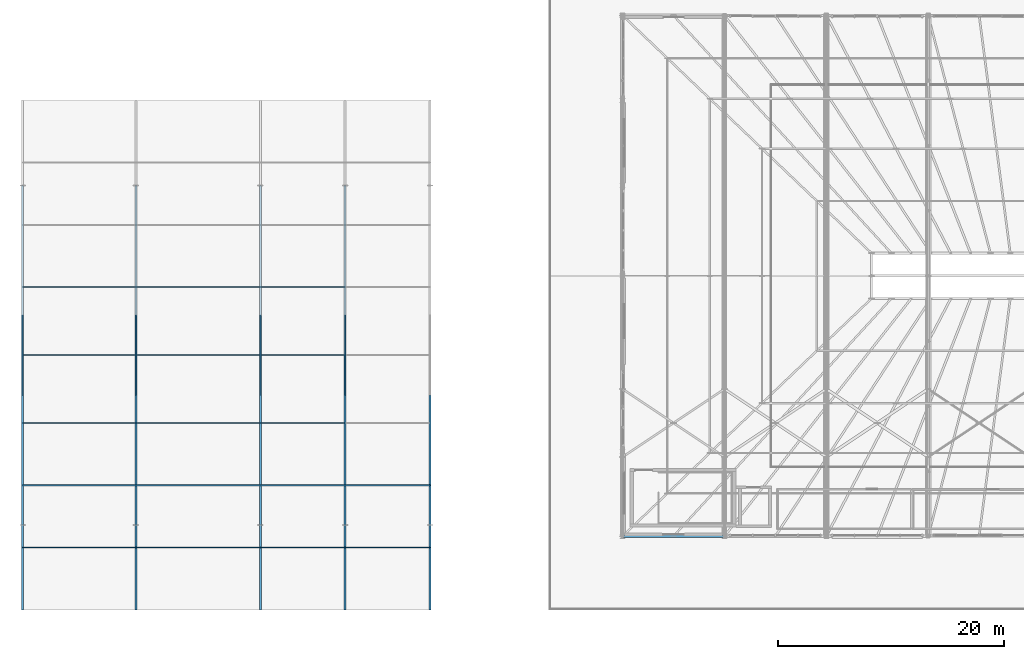
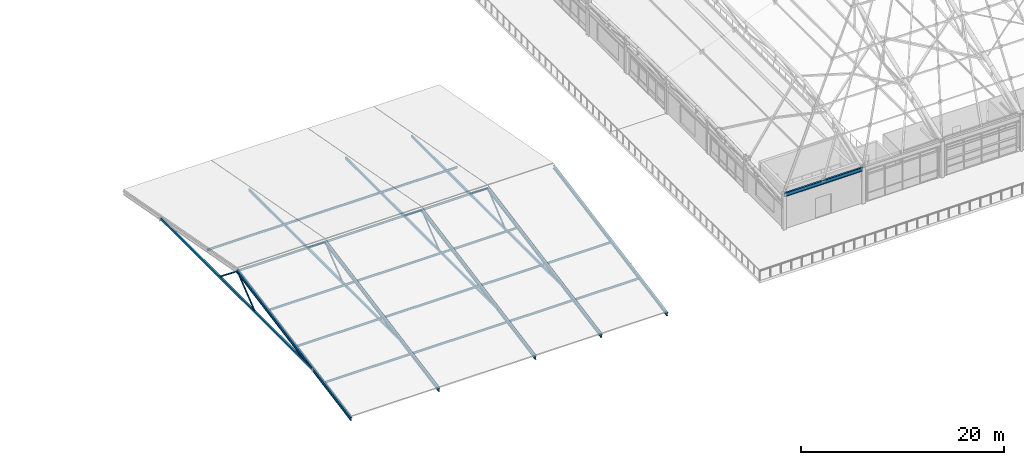
# One storey, part 9 of 168: 34 members, 1 beam.
"""IFC4 building model written with IfcOpenShell, lengths in metres."""

import ifcopenshell
import ifcopenshell.guid

model = None  # the IFC model being written
_history = None  # IfcOwnerHistory: only IFC2X3 demands one
_inside = {}  # id of a spatial element -> (the spatial element, [elements in it])
_under = {}  # id of a project, library or spatial element -> (it, [spatial elements below it])
_declared = {}  # id of a project -> (the project, [libraries it declares])
_typed = {}  # id of a type object -> (the type object, [elements of that type])
_made_of = {}  # id of a material, layer set ... -> (it, [elements and type objects made of it])


def new_model(schema):
    """Start an empty IFC model of exactly this schema.

    Asked for "IFC4X3", IfcOpenShell would pick the latest addendum, in which some entities
    have other attributes; the version numbers below select the first issue.
    IFC2X3 requires an IfcOwnerHistory on every rooted entity: one is made here for all.
    """
    global model, _history
    if schema == "IFC4X3":
        model = ifcopenshell.file(schema_version=(4, 3, 0, 0))
    else:
        model = ifcopenshell.file(schema=schema)
    _inside.clear()
    _under.clear()
    _declared.clear()
    _typed.clear()
    _made_of.clear()
    _history = None
    if model.schema == "IFC2X3":
        org = make("IfcOrganization", Name="unknown")
        user = make(
            "IfcPersonAndOrganization",
            ThePerson=make("IfcPerson", FamilyName="unknown"),
            TheOrganization=org,
        )
        app = make(
            "IfcApplication",
            ApplicationDeveloper=org,
            Version="unknown",
            ApplicationFullName="unknown",
            ApplicationIdentifier="unknown",
        )
        _history = make(
            "IfcOwnerHistory",
            OwningUser=user,
            OwningApplication=app,
            ChangeAction="ADDED",
            CreationDate=0,
        )
    return model


def make(cls, **values):
    """One entity of the class cls with the attributes given. An attribute that is None is left unset."""
    return model.create_entity(
        cls, **{name: value for name, value in values.items() if value is not None}
    )


def rooted(cls, **values):
    """An entity with a GlobalId (a new one), such as an element, a storey or a relation."""
    return make(cls, GlobalId=ifcopenshell.guid.new(), OwnerHistory=_history, **values)


def si_unit(unit_type, name, prefix=None):
    """IfcSIUnit, for example si_unit("LENGTHUNIT", "METRE", prefix="MILLI")."""
    return make("IfcSIUnit", UnitType=unit_type, Prefix=prefix, Name=name)


def assignment(units):
    """IfcUnitAssignment: the units of a project."""
    return None if units is None else make("IfcUnitAssignment", Units=units)


def point(xyz):
    """IfcCartesianPoint."""
    return None if xyz is None else make("IfcCartesianPoint", Coordinates=xyz)


def direction(xyz):
    """IfcDirection."""
    return None if xyz is None else make("IfcDirection", DirectionRatios=xyz)


def frame(location, z_axis=None, x_axis=None):
    """IfcAxis2Placement3D, a coordinate frame: its origin and axes. An axis left out is left unset."""
    return make(
        "IfcAxis2Placement3D",
        Location=point(location),
        Axis=direction(z_axis),
        RefDirection=direction(x_axis),
    )


def frame_2d(location, x_axis=None):
    """IfcAxis2Placement2D, a coordinate frame in the plane: its origin and x axis."""
    return make(
        "IfcAxis2Placement2D", Location=point(location), RefDirection=direction(x_axis)
    )


def origin():
    """The frame at (0, 0, 0) with its axes left unset."""
    return frame((0.0, 0.0, 0.0))


def origin_2d():
    """The frame at (0, 0) in the plane with its x axis left unset."""
    return frame_2d((0.0, 0.0))


def place(relative_to, where):
    """IfcLocalPlacement: puts the frame where relative to a parent placement (None: the world)."""
    return make(
        "IfcLocalPlacement", PlacementRelTo=relative_to, RelativePlacement=where
    )


def context(
    kind, dimensions, precision=None, world=None, true_north=None, identifier=None
):
    """IfcGeometricRepresentationContext, for example the 3D "Model" context."""
    return make(
        "IfcGeometricRepresentationContext",
        ContextIdentifier=identifier,
        ContextType=kind,
        CoordinateSpaceDimension=dimensions,
        Precision=precision,
        WorldCoordinateSystem=world,
        TrueNorth=true_north,
    )


def subcontext(parent, identifier, kind, view, scale=None):
    """IfcGeometricRepresentationSubContext, for example "Body" below "Model"."""
    return make(
        "IfcGeometricRepresentationSubContext",
        ContextIdentifier=identifier,
        ContextType=kind,
        ParentContext=parent,
        TargetScale=scale,
        TargetView=view,
    )


def project(units=None, contexts=None):
    """IfcProject with its units and contexts."""
    return rooted(
        "IfcProject",
        Name="project",
        RepresentationContexts=contexts,
        UnitsInContext=assignment(units),
    )


def spatial(cls, under=None, at=None, **own):
    """A site, building, storey or space (cls), placed at a placement, below another one or the project."""
    s = rooted(cls, ObjectPlacement=at, **own)
    if under is not None:
        _under.setdefault(under.id(), (under, []))[1].append(s)
    return s


def profile(cls, at=None, kind="AREA", **sizes):
    """A parametric profile (cls). Its sizes go by their IFC names, for example OverallWidth=200.0."""
    return make(cls, ProfileType=kind, Position=at, **sizes)


def hollow_rectangle(**sizes):
    """IfcRectangleHollowProfileDef."""
    return profile("IfcRectangleHollowProfileDef", **sizes)


def hollow_circle(**sizes):
    """IfcCircleHollowProfileDef."""
    return profile("IfcCircleHollowProfileDef", **sizes)


def i_section(**sizes):
    """IfcIShapeProfileDef."""
    return profile("IfcIShapeProfileDef", **sizes)


def extrude(swept, where, along, depth):
    """IfcExtrudedAreaSolid: the profile swept, set in the frame where, extruded along a direction by depth."""
    return make(
        "IfcExtrudedAreaSolid",
        SweptArea=swept,
        Position=where,
        ExtrudedDirection=direction(along),
        Depth=depth,
    )


def shape(context_of_items, identifier, shape_type, items):
    """IfcShapeRepresentation: the items that make up one representation, for example the "Body"."""
    return make(
        "IfcShapeRepresentation",
        ContextOfItems=context_of_items,
        RepresentationIdentifier=identifier,
        RepresentationType=shape_type,
        Items=items,
    )


def material(Name=None, Category=None):
    """IfcMaterial."""
    return make("IfcMaterial", Name=Name, Category=Category)


def material_profile(
    of_material, cross_section, Name=None, Category=None, Priority=None
):
    """IfcMaterialProfile: a cross section and its material."""
    return make(
        "IfcMaterialProfile",
        Name=Name,
        Material=of_material,
        Profile=cross_section,
        Priority=Priority,
        Category=Category,
    )


def profile_set(profiles, Name=None, composite=None):
    """IfcMaterialProfileSet."""
    return make(
        "IfcMaterialProfileSet",
        Name=Name,
        MaterialProfiles=profiles,
        CompositeProfile=composite,
    )


def made_of(thing, what):
    """Note that an element or type object is made of a material, layer set ...; save() writes the relation."""
    if what is not None:
        _made_of.setdefault(what.id(), (what, []))[1].append(thing)
    return thing


def type_object(cls, material=None, **own):
    """A type object (cls), such as IfcWallType, which elements share."""
    return made_of(rooted(cls, **own), material)


def element(
    cls,
    number,
    at=None,
    inside=None,
    cuts=None,
    type_object=None,
    material=None,
    context=None,
    identifier="Body",
    shape_type=None,
    held_by="IfcProductDefinitionShape",
    body=None,
    shapes=None,
    **own,
):
    """One element of the class cls, such as IfcWall. Its Tag is "e" and its number.

    at: its placement. inside: the storey or other place that contains it. cuts: it is an
    opening in that element (IfcRelVoidsElement). A single representation is given by context,
    identifier, shape_type and body (its items); several are given by shapes. held_by: the class
    of the entity that holds the representations. save() writes the other relations.
    """
    e = rooted(cls, Tag="e%d" % number, ObjectPlacement=at, **own)
    if body is not None:
        shapes = [shape(context, identifier, shape_type, body)]
    if shapes is not None:
        e.Representation = make(held_by, Representations=shapes)
    if inside is not None:
        _inside.setdefault(inside.id(), (inside, []))[1].append(e)
    if cuts is not None:
        rooted(
            "IfcRelVoidsElement", RelatingBuildingElement=cuts, RelatedOpeningElement=e
        )
    if type_object is not None:
        _typed.setdefault(type_object.id(), (type_object, []))[1].append(e)
    return made_of(e, material)


def aggregate(whole, parts):
    """IfcRelAggregates: a whole, such as a stair, and the parts it consists of."""
    return rooted("IfcRelAggregates", RelatingObject=whole, RelatedObjects=parts)


def save(model, path):
    """Write the relations noted so far, then the file.

    IfcRelAggregates (storeys below a building ...), IfcRelContainedInSpatialStructure (elements
    in a storey), IfcRelDefinesByType, IfcRelAssociatesMaterial and IfcRelDeclares: one each for
    every whole, place, type object, material and project.
    """
    for whole, parts in _under.values():
        aggregate(whole, parts)
    for where, things in _inside.values():
        rooted(
            "IfcRelContainedInSpatialStructure",
            RelatedElements=things,
            RelatingStructure=where,
        )
    for kind, things in _typed.values():
        rooted("IfcRelDefinesByType", RelatedObjects=things, RelatingType=kind)
    for what, things in _made_of.values():
        rooted("IfcRelAssociatesMaterial", RelatedObjects=things, RelatingMaterial=what)
    for by, libraries in _declared.values():
        rooted("IfcRelDeclares", RelatingContext=by, RelatedDefinitions=libraries)
    model.write(path)


model = new_model("IFC4")

# Units and contexts
model_context = context("Model", 3, precision=1e-05, world=origin(), true_north=direction((0.0, 1.0)))
body_context = subcontext(model_context, "Body", "Model", "MODEL_VIEW")
ifc_project = project(units=[si_unit("LENGTHUNIT", "METRE"), si_unit("AREAUNIT", "SQUARE_METRE"), si_unit("VOLUMEUNIT", "CUBIC_METRE"), si_unit("PLANEANGLEUNIT", "RADIAN"), si_unit("MASSUNIT", "GRAM", prefix="KILO"), si_unit("THERMODYNAMICTEMPERATUREUNIT", "KELVIN"), si_unit("POWERUNIT", "WATT")], contexts=[model_context])

# Site, building, storey
site_placement = place(None, origin())
site = spatial("IfcSite", under=ifc_project, at=site_placement, CompositionType="ELEMENT")
building_placement = place(site_placement, origin())
building = spatial("IfcBuilding", under=site, at=building_placement, Name="Tepalcoro Natatorium and Aquatics Centre", CompositionType="ELEMENT")
storey_placement = place(building_placement, frame((0.0, 0.0, 10.199951171875)))
storey = spatial("IfcBuildingStorey", under=building, at=storey_placement, Name="L02", CompositionType="ELEMENT", Elevation=10.199951171875)

# Members
ifc_material_1 = material(Name="Terracotta Painted Hollow Steel ASTM A500 Grade C (Fy 345 MPa)", Category="masonry")
ifc_material_profile_1 = material_profile(ifc_material_1, hollow_rectangle(XDim=0.179931640625, YDim=0.260009765625, WallThickness=0.013916015625, at=origin_2d()), Name="HSS260X180X14")
ifc_profile_set_1 = profile_set([ifc_material_profile_1], Name="Terracotta Painted Hollow Steel ASTM A500 Grade C (Fy 345 MPa)")
member_type_1 = type_object("IfcMemberType", Name="MB_AT_HSS260x180x14", PredefinedType="USERDEFINED", material=ifc_profile_set_1)
for number, where, z_axis, x_axis, name in (
    (1, (0.0, 14.0, 0.993408203125), (0.0, 1.0, 0.0), (-1.0, 0.0, 0.0), "V3 Pediment Roof Truss Collar Tie"),
    (2, (10.0, 14.0, 0.993408203125), (0.0, 1.0, 0.0), (-1.0, 0.0, 0.0), "V3 Pediment Roof Truss Collar Tie"),
    (3, (21.0, 14.0, 0.993408203125), (0.0, 1.0, 0.0), (-1.0, 0.0, 0.0), "V3 Pediment Roof Truss Collar Tie"),
    (4, (28.5, 14.0, 0.993408203125), (0.0, 1.0, 0.0), (-1.0, 0.0, 0.0), "V3 Pediment Roof Truss Collar Tie"),
):
    element("IfcMember", number, at=place(storey_placement, frame(where, z_axis=z_axis, x_axis=x_axis)), inside=storey, type_object=member_type_1, Name=name, ObjectType="ARCH TIE", PredefinedType="USERDEFINED", context=body_context, shape_type="SweptSolid", body=[
        extrude(hollow_rectangle(XDim=0.179931640625, YDim=0.260009765625, WallThickness=0.013916015625, at=origin_2d()), origin(), (0.0, 0.0, 1.0), 30.0),
    ])
ifc_material_2 = material(Name="Steel ASTM A992 Grade 50 (Fy 345 MPa)", Category="steel")
ifc_material_profile_2 = material_profile(ifc_material_2, i_section(OverallWidth=0.10205078125, OverallDepth=0.259033203125, WebThickness=0.006103515625, FlangeThickness=0.010009765625, FilletRadius=0.013916015625, at=origin_2d()), Name="W10X19")
ifc_profile_set_2 = profile_set([ifc_material_profile_2], Name="Steel ASTM A992 Grade 50 (Fy 345 MPa)")
member_type_2 = type_object("IfcMemberType", Name="MB_PR_W10x19", PredefinedType="PURLIN", material=ifc_profile_set_2)
member_1_placement = place(storey_placement, frame((0.0, 12.0, 0.65185546875), z_axis=(1.0, 0.0, 0.0), x_axis=(0.0, 1.0, 0.0)))
element("IfcMember", 5, at=member_1_placement, inside=storey, type_object=member_type_2, Name="V3 Pediment Roof Purlin", PredefinedType="PURLIN", context=body_context, shape_type="SweptSolid", body=[
    extrude(i_section(OverallWidth=0.10205078125, OverallDepth=0.259033203125, WebThickness=0.006103515625, FlangeThickness=0.010009765625, FilletRadius=0.013916015625, at=origin_2d()), origin(), (0.0, 0.0, 1.0), 10.0),
])
member_2_placement = place(storey_placement, frame((10.0, 12.0, 0.65185546875), z_axis=(1.0, 0.0, 0.0), x_axis=(0.0, 1.0, 0.0)))
element("IfcMember", 6, at=member_2_placement, inside=storey, type_object=member_type_2, Name="V3 Pediment Roof Purlin", PredefinedType="PURLIN", context=body_context, shape_type="SweptSolid", body=[
    extrude(i_section(OverallWidth=0.10205078125, OverallDepth=0.259033203125, WebThickness=0.006103515625, FlangeThickness=0.010009765625, FilletRadius=0.013916015625, at=origin_2d()), origin(), (0.0, 0.0, 1.0), 11.0),
])
for number, where, z_axis, x_axis, name in (
    (7, (21.0, 12.0, 0.65185546875), (1.0, 0.0, 0.0), (0.0, 1.0, 0.0), "V3 Pediment Roof Purlin"),
    (8, (28.5, 12.0, 0.65185546875), (1.0, 0.0, 0.0), (0.0, 1.0, 0.0), "V3 Pediment Roof Purlin"),
):
    element("IfcMember", number, at=place(storey_placement, frame(where, z_axis=z_axis, x_axis=x_axis)), inside=storey, type_object=member_type_2, Name=name, PredefinedType="PURLIN", context=body_context, shape_type="SweptSolid", body=[
        extrude(i_section(OverallWidth=0.10205078125, OverallDepth=0.259033203125, WebThickness=0.006103515625, FlangeThickness=0.010009765625, FilletRadius=0.013916015625, at=origin_2d()), origin(), (0.0, 0.0, 1.0), 7.5),
    ])
member_3_placement = place(storey_placement, frame((0.0, 17.5, 1.673583984375), z_axis=(1.0, 0.0, 0.0), x_axis=(0.0, 1.0, 0.0)))
element("IfcMember", 9, at=member_3_placement, inside=storey, type_object=member_type_2, Name="V3 Pediment Roof Purlin", PredefinedType="PURLIN", context=body_context, shape_type="SweptSolid", body=[
    extrude(i_section(OverallWidth=0.10205078125, OverallDepth=0.259033203125, WebThickness=0.006103515625, FlangeThickness=0.010009765625, FilletRadius=0.013916015625, at=origin_2d()), origin(), (0.0, 0.0, 1.0), 10.0),
])
member_4_placement = place(storey_placement, frame((10.0, 17.5, 1.673583984375), z_axis=(1.0, 0.0, 0.0), x_axis=(0.0, 1.0, 0.0)))
element("IfcMember", 10, at=member_4_placement, inside=storey, type_object=member_type_2, Name="V3 Pediment Roof Purlin", PredefinedType="PURLIN", context=body_context, shape_type="SweptSolid", body=[
    extrude(i_section(OverallWidth=0.10205078125, OverallDepth=0.259033203125, WebThickness=0.006103515625, FlangeThickness=0.010009765625, FilletRadius=0.013916015625, at=origin_2d()), origin(), (0.0, 0.0, 1.0), 11.0),
])
for number, where, z_axis, x_axis, name in (
    (11, (21.0, 17.5, 1.673583984375), (1.0, 0.0, 0.0), (0.0, 1.0, 0.0), "V3 Pediment Roof Purlin"),
    (12, (28.5, 17.5, 1.673583984375), (1.0, 0.0, 0.0), (0.0, 1.0, 0.0), "V3 Pediment Roof Purlin"),
):
    element("IfcMember", number, at=place(storey_placement, frame(where, z_axis=z_axis, x_axis=x_axis)), inside=storey, type_object=member_type_2, Name=name, PredefinedType="PURLIN", context=body_context, shape_type="SweptSolid", body=[
        extrude(i_section(OverallWidth=0.10205078125, OverallDepth=0.259033203125, WebThickness=0.006103515625, FlangeThickness=0.010009765625, FilletRadius=0.013916015625, at=origin_2d()), origin(), (0.0, 0.0, 1.0), 7.5),
    ])
member_5_placement = place(storey_placement, frame((0.0, 23.0, 2.6953125), z_axis=(1.0, 0.0, 0.0), x_axis=(0.0, 1.0, 0.0)))
element("IfcMember", 13, at=member_5_placement, inside=storey, type_object=member_type_2, Name="V3 Pediment Roof Purlin", PredefinedType="PURLIN", context=body_context, shape_type="SweptSolid", body=[
    extrude(i_section(OverallWidth=0.10205078125, OverallDepth=0.259033203125, WebThickness=0.006103515625, FlangeThickness=0.010009765625, FilletRadius=0.013916015625, at=origin_2d()), origin(), (0.0, 0.0, 1.0), 10.0),
])
member_6_placement = place(storey_placement, frame((10.0, 23.0, 2.6953125), z_axis=(1.0, 0.0, 0.0), x_axis=(0.0, 1.0, 0.0)))
element("IfcMember", 14, at=member_6_placement, inside=storey, type_object=member_type_2, Name="V3 Pediment Roof Purlin", PredefinedType="PURLIN", context=body_context, shape_type="SweptSolid", body=[
    extrude(i_section(OverallWidth=0.10205078125, OverallDepth=0.259033203125, WebThickness=0.006103515625, FlangeThickness=0.010009765625, FilletRadius=0.013916015625, at=origin_2d()), origin(), (0.0, 0.0, 1.0), 11.0),
])
member_7_placement = place(storey_placement, frame((21.0, 23.0, 2.6953125), z_axis=(1.0, 0.0, 0.0), x_axis=(0.0, 1.0, 0.0)))
element("IfcMember", 15, at=member_7_placement, inside=storey, type_object=member_type_2, Name="V3 Pediment Roof Purlin", PredefinedType="PURLIN", context=body_context, shape_type="SweptSolid", body=[
    extrude(i_section(OverallWidth=0.10205078125, OverallDepth=0.259033203125, WebThickness=0.006103515625, FlangeThickness=0.010009765625, FilletRadius=0.013916015625, at=origin_2d()), origin(), (0.0, 0.0, 1.0), 7.5),
])
member_8_placement = place(storey_placement, frame((0.0, 29.0, 3.81005859375), z_axis=(1.0, 0.0, 0.0), x_axis=(0.0, 1.0, 0.0)))
element("IfcMember", 16, at=member_8_placement, inside=storey, type_object=member_type_2, Name="V3 Pediment Roof Purlin", PredefinedType="PURLIN", context=body_context, shape_type="SweptSolid", body=[
    extrude(i_section(OverallWidth=0.10205078125, OverallDepth=0.259033203125, WebThickness=0.006103515625, FlangeThickness=0.010009765625, FilletRadius=0.013916015625, at=origin_2d()), origin(), (0.0, 0.0, 1.0), 10.0),
])
member_9_placement = place(storey_placement, frame((10.0, 29.0, 3.81005859375), z_axis=(1.0, 0.0, 0.0), x_axis=(0.0, 1.0, 0.0)))
element("IfcMember", 17, at=member_9_placement, inside=storey, type_object=member_type_2, Name="V3 Pediment Roof Purlin", PredefinedType="PURLIN", context=body_context, shape_type="SweptSolid", body=[
    extrude(i_section(OverallWidth=0.10205078125, OverallDepth=0.259033203125, WebThickness=0.006103515625, FlangeThickness=0.010009765625, FilletRadius=0.013916015625, at=origin_2d()), origin(), (0.0, 0.0, 1.0), 11.0),
])
member_10_placement = place(storey_placement, frame((21.0, 29.0, 3.81005859375), z_axis=(1.0, 0.0, 0.0), x_axis=(0.0, 1.0, 0.0)))
element("IfcMember", 18, at=member_10_placement, inside=storey, type_object=member_type_2, Name="V3 Pediment Roof Purlin", PredefinedType="PURLIN", context=body_context, shape_type="SweptSolid", body=[
    extrude(i_section(OverallWidth=0.10205078125, OverallDepth=0.259033203125, WebThickness=0.006103515625, FlangeThickness=0.010009765625, FilletRadius=0.013916015625, at=origin_2d()), origin(), (0.0, 0.0, 1.0), 7.5),
])
member_11_placement = place(storey_placement, frame((0.0, 35.0, 2.6953125), z_axis=(1.0, 0.0, 0.0), x_axis=(0.0, 1.0, 0.0)))
element("IfcMember", 19, at=member_11_placement, inside=storey, type_object=member_type_2, Name="V3 Pediment Roof Purlin", PredefinedType="PURLIN", context=body_context, shape_type="SweptSolid", body=[
    extrude(i_section(OverallWidth=0.10205078125, OverallDepth=0.259033203125, WebThickness=0.006103515625, FlangeThickness=0.010009765625, FilletRadius=0.013916015625, at=origin_2d()), origin(), (0.0, 0.0, 1.0), 10.0),
])
member_12_placement = place(storey_placement, frame((10.0, 35.0, 2.6953125), z_axis=(1.0, 0.0, 0.0), x_axis=(0.0, 1.0, 0.0)))
element("IfcMember", 20, at=member_12_placement, inside=storey, type_object=member_type_2, Name="V3 Pediment Roof Purlin", PredefinedType="PURLIN", context=body_context, shape_type="SweptSolid", body=[
    extrude(i_section(OverallWidth=0.10205078125, OverallDepth=0.259033203125, WebThickness=0.006103515625, FlangeThickness=0.010009765625, FilletRadius=0.013916015625, at=origin_2d()), origin(), (0.0, 0.0, 1.0), 11.0),
])
member_13_placement = place(storey_placement, frame((21.0, 35.0, 2.6953125), z_axis=(1.0, 0.0, 0.0), x_axis=(0.0, 1.0, 0.0)))
element("IfcMember", 21, at=member_13_placement, inside=storey, type_object=member_type_2, Name="V3 Pediment Roof Purlin", PredefinedType="PURLIN", context=body_context, shape_type="SweptSolid", body=[
    extrude(i_section(OverallWidth=0.10205078125, OverallDepth=0.259033203125, WebThickness=0.006103515625, FlangeThickness=0.010009765625, FilletRadius=0.013916015625, at=origin_2d()), origin(), (0.0, 0.0, 1.0), 7.5),
])
ifc_material_profile_3 = material_profile(ifc_material_2, i_section(OverallWidth=0.177978515625, OverallDepth=0.403076171875, WebThickness=0.008056640625, FlangeThickness=0.010986328125, FilletRadius=0.013916015625, at=origin_2d()), Name="W16X36")
ifc_profile_set_3 = profile_set([ifc_material_profile_3], Name="Steel ASTM A992 Grade 50 (Fy 345 MPa)")
member_type_3 = type_object("IfcMemberType", Name="MB_RF_W16x36", PredefinedType="RAFTER", material=ifc_profile_set_3)
for number, where, z_axis, x_axis, name in (
    (22, (0.0, 6.5, -0.39990234375), (0.0, 0.983178064128, 0.182649648827), (-1.0, 0.0, 0.0), "V3 Pediment Roof Truss Rafter South"),
    (23, (10.0, 6.5, -0.39990234375), (0.0, 0.983178064128, 0.182649648827), (-1.0, 0.0, 0.0), "V3 Pediment Roof Truss Rafter South"),
    (24, (21.0, 6.5, -0.39990234375), (0.0, 0.983178064128, 0.182649648827), (-1.0, 0.0, 0.0), "V3 Pediment Roof Truss Rafter South"),
    (25, (28.5, 6.5, -0.39990234375), (0.0, 0.983178064128, 0.182649648827), (-1.0, 0.0, 0.0), "V3 Pediment Roof Truss Rafter South"),
    (26, (36.0, 6.5, -0.39990234375), (0.0, 0.983178064128, 0.182649648827), (-1.0, 0.0, 0.0), "V3 Pediment Roof Truss Rafter South"),
):
    element("IfcMember", number, at=place(storey_placement, frame(where, z_axis=z_axis, x_axis=x_axis)), inside=storey, type_object=member_type_3, Name=name, PredefinedType="RAFTER", context=body_context, shape_type="SweptSolid", body=[
        extrude(i_section(OverallWidth=0.177978515625, OverallDepth=0.403076171875, WebThickness=0.008056640625, FlangeThickness=0.010986328125, FilletRadius=0.013916015625, at=origin_2d()), origin(), (0.0, 0.0, 1.0), 22.885009765625),
    ])
ifc_material_profile_4 = material_profile(ifc_material_1, hollow_circle(Radius=0.083984375, WallThickness=0.011962890625, at=origin_2d()), Name="CHS168X12")
ifc_profile_set_4 = profile_set([ifc_material_profile_4], Name="Terracotta Painted Hollow Steel ASTM A500 Grade C (Fy 345 MPa)")
member_type_4 = type_object("IfcMemberType", Name="MB_ST_CHS168x12", PredefinedType="STRUT", material=ifc_profile_set_4)
for number, where, z_axis, x_axis, name in (
    (27, (0.0, 25.5, 0.993408203125), (0.0, 0.782325448179, 0.622869884592), (-1.0, 0.0, 0.0), "V3 Pediment Roof Truss Web Diagonal S"),
    (28, (0.0, 32.5, 0.993408203125), (0.0, -0.782325448179, 0.622869884592), (1.0, 0.0, 0.0), "V3 Pediment Roof Truss Web Diagonal N"),
    (29, (10.0, 25.5, 0.993408203125), (0.0, 0.782325448179, 0.622869884592), (-1.0, 0.0, 0.0), "V3 Pediment Roof Truss Web Diagonal S"),
    (30, (10.0, 32.5, 0.993408203125), (0.0, -0.782325448179, 0.622869884592), (1.0, 0.0, 0.0), "V3 Pediment Roof Truss Web Diagonal N"),
    (31, (21.0, 25.5, 0.993408203125), (0.0, 0.782325448179, 0.622869884592), (-1.0, 0.0, 0.0), "V3 Pediment Roof Truss Web Diagonal S"),
    (32, (21.0, 32.5, 0.993408203125), (0.0, -0.782325448179, 0.622869884592), (1.0, 0.0, 0.0), "V3 Pediment Roof Truss Web Diagonal N"),
    (33, (28.5, 25.5, 0.993408203125), (0.0, 0.782325448179, 0.622869884592), (-1.0, 0.0, 0.0), "V3 Pediment Roof Truss Web Diagonal S"),
    (34, (28.5, 32.5, 0.993408203125), (0.0, -0.782325448179, 0.622869884592), (1.0, 0.0, 0.0), "V3 Pediment Roof Truss Web Diagonal N"),
):
    element("IfcMember", number, at=place(storey_placement, frame(where, z_axis=z_axis, x_axis=x_axis)), inside=storey, type_object=member_type_4, Name=name, PredefinedType="STRUT", context=body_context, shape_type="SweptSolid", body=[
        extrude(hollow_circle(Radius=0.083984375, WallThickness=0.011962890625, at=origin_2d()), origin(), (0.0, 0.0, 1.0), 4.473876953125),
    ])

# Beam
ifc_material_profile_5 = material_profile(ifc_material_2, i_section(OverallWidth=0.19091796875, OverallDepth=0.4599609375, WebThickness=0.010009765625, FlangeThickness=0.01611328125, FilletRadius=0.013916015625, at=origin_2d()), Name="W18X55")
ifc_profile_set_5 = profile_set([ifc_material_profile_5], Name="Steel ASTM A992 Grade 50 (Fy 345 MPa)")
beam_type = type_object("IfcBeamType", Name="SP_W18x55", PredefinedType="SPANDREL", material=ifc_profile_set_5)
beam_placement = place(storey_placement, frame((53.0, 13.0, 4.10498046875), z_axis=(1.0, 0.0, 0.0), x_axis=(0.0, 1.0, 0.0)))
element("IfcBeam", 35, at=beam_placement, inside=storey, type_object=beam_type, Name="V1 L02 Grid Girder X", PredefinedType="SPANDREL", context=body_context, shape_type="SweptSolid", body=[
    extrude(i_section(OverallWidth=0.19091796875, OverallDepth=0.4599609375, WebThickness=0.010009765625, FlangeThickness=0.01611328125, FilletRadius=0.013916015625, at=origin_2d()), origin(), (0.0, 0.0, 1.0), 9.0),
])

save(model, "model.ifc")
